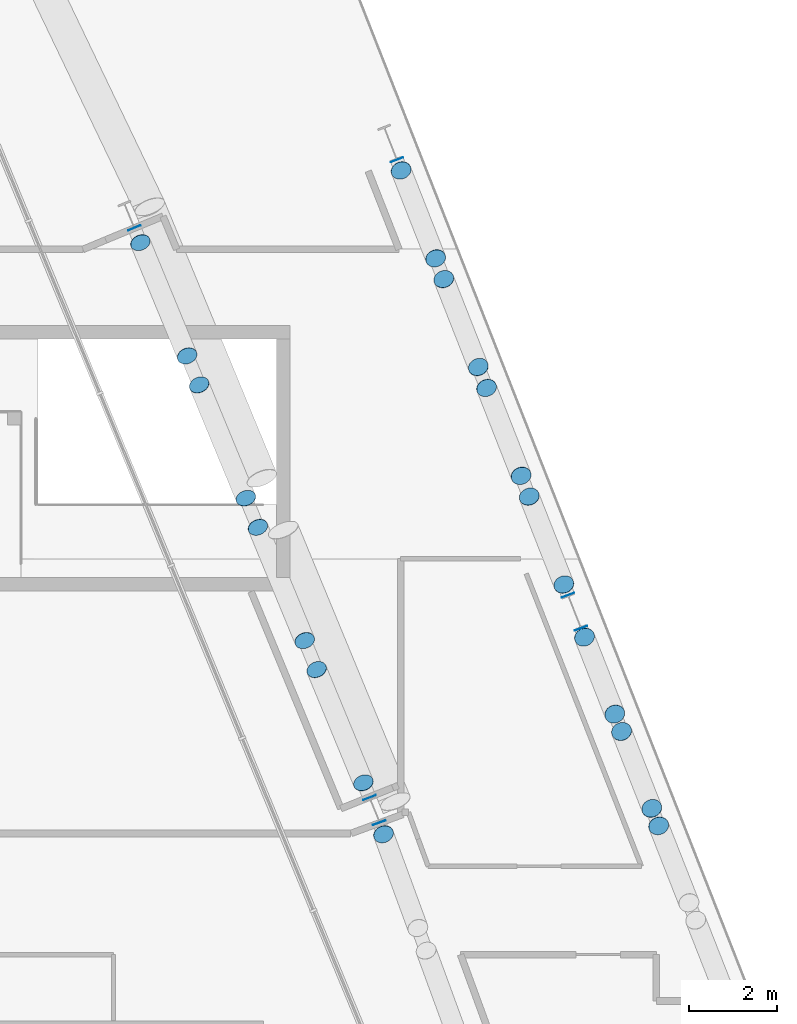
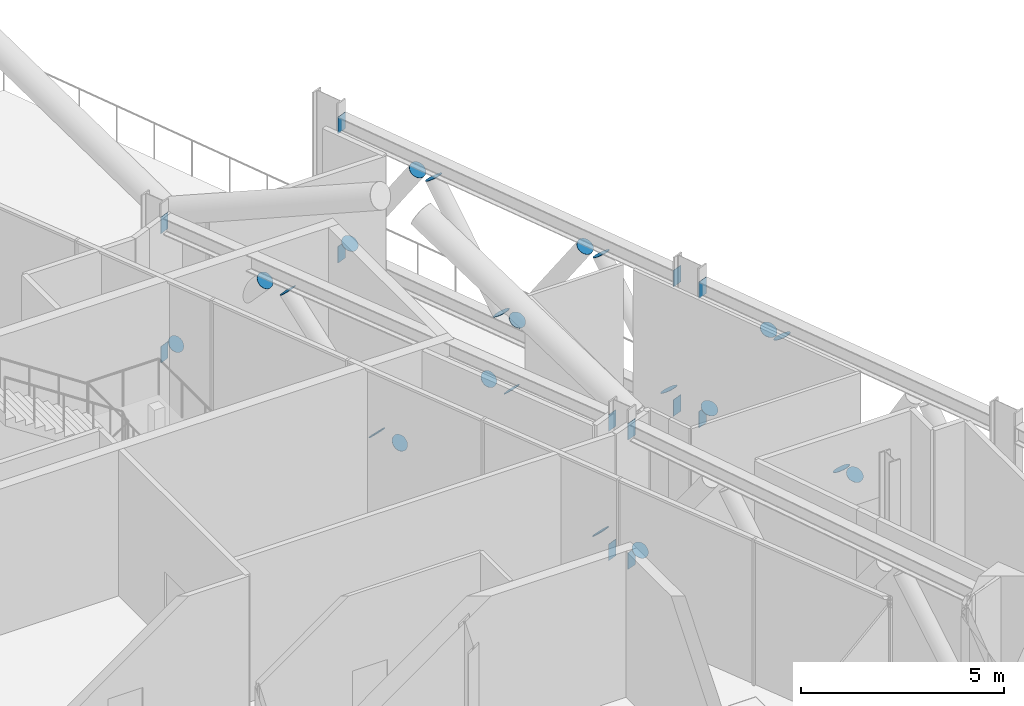
# One storey, part 35 of 42: 34 discrete accessories.
"""IFC4 building model written with IfcOpenShell, lengths in metres."""

from ifc_helpers import new_model, si_unit, direction, frame, origin, origin_2d, place, context, subcontext, project, spatial, rectangle, circle, extrude, material, material_profile, profile_set, type_object, element, save


model = new_model("IFC4")

# Units and contexts
model_context = context("Model", 3, precision=1e-05, world=origin(), true_north=direction((0.0, 1.0)))
body_context = subcontext(model_context, "Body", "Model", "MODEL_VIEW")
ifc_project = project(units=[si_unit("LENGTHUNIT", "METRE"), si_unit("AREAUNIT", "SQUARE_METRE"), si_unit("VOLUMEUNIT", "CUBIC_METRE"), si_unit("PLANEANGLEUNIT", "RADIAN"), si_unit("MASSUNIT", "GRAM", prefix="KILO")], contexts=[model_context])

# Site, building, storey
site_placement = place(None, origin())
site = spatial("IfcSite", under=ifc_project, at=site_placement, CompositionType="ELEMENT")
building_placement = place(site_placement, origin())
building = spatial("IfcBuilding", under=site, at=building_placement, Name="Wharfspan Tower", CompositionType="ELEMENT")
storey_placement = place(building_placement, frame((0.0, 0.0, 147.100098)))
storey = spatial("IfcBuildingStorey", under=building, at=storey_placement, Name="L35", CompositionType="ELEMENT", Elevation=147.100098)

# Discrete accessories
ifc_material_1 = material(Name="Steel S460NH", Category="steel")
ifc_material_profile_1 = material_profile(ifc_material_1, circle(Radius=0.228516, at=origin_2d()))
ifc_profile_set_1 = profile_set([ifc_material_profile_1], Name="Steel S460NH")
discrete_accessory_type_1 = type_object("IfcDiscreteAccessoryType", Name="End plate CHS 457x16", PredefinedType="BRACKET", material=ifc_profile_set_1)
discrete_accessory_1_placement = place(storey_placement, frame((79.611328, 16.211426, 0.633301), z_axis=(-0.221297, 0.540947, -0.811421), x_axis=(-0.925544, -0.378631, 1e-06)))
element("IfcDiscreteAccessory", 1, at=discrete_accessory_1_placement, inside=storey, type_object=discrete_accessory_type_1, Name="End plate CHS 457x16", PredefinedType="BRACKET", context=body_context, shape_type="SweptSolid", body=[
    extrude(circle(Radius=0.228516, at=origin_2d()), origin(), (0.0, 0.0, 1.0), 0.01001),
])
discrete_accessory_2_placement = place(storey_placement, frame((79.156738, 17.374268, 0.644775), z_axis=(-0.248069, 0.620174, 0.744208), x_axis=(-0.928477, -0.37139, 0.0)))
element("IfcDiscreteAccessory", 2, at=discrete_accessory_2_placement, inside=storey, type_object=discrete_accessory_type_1, Name="End plate CHS 457x16", PredefinedType="BRACKET", context=body_context, shape_type="SweptSolid", body=[
    extrude(circle(Radius=0.228516, at=origin_2d()), origin(), (0.0, 0.0, 1.0), 0.009766),
])
for number, where, z_axis, x_axis, name in (
    (3, (78.098877, 19.937012, 3.747559), (-0.266242, 0.605095, 0.750317), (-0.915318, -0.402739, -1e-06), "End plate CHS 457x16"),
    (4, (77.826904, 20.595459, 3.755127), (-0.243541, 0.608851, -0.754976), (-0.928474, -0.371393, -2e-06), "End plate CHS 457x16"),
    (5, (76.769043, 23.158203, 0.6521), (-0.27113, 0.616205, -0.739446), (-0.915312, -0.402737, 0.0), "End plate CHS 457x16"),
    (6, (76.49707, 23.816406, 0.644775), (-0.244266, 0.635092, 0.732798), (-0.933346, -0.358979, 0.0), "End plate CHS 457x16"),
    (7, (75.439209, 26.379395, 3.747559), (-0.266242, 0.605095, 0.750317), (-0.915318, -0.402739, -1e-06), "End plate CHS 457x16"),
    (8, (75.167236, 27.037598, 3.755127), (-0.243541, 0.608851, -0.754976), (-0.928474, -0.371393, -2e-06), "End plate CHS 457x16"),
    (9, (74.109375, 29.600586, 0.6521), (-0.27113, 0.616205, -0.739446), (-0.915312, -0.402737, 0.0), "End plate CHS 457x16"),
    (10, (85.838379, 16.401367, 0.615723), (-0.171088, 0.488824, -0.855442), (-0.94386, -0.330352, -1e-06), "End plate CHS 457x16"),
    (11, (85.682861, 16.797363, 0.607178), (-0.196946, 0.467748, 0.86164), (-0.921633, -0.388055, 0.0), "End plate CHS 457x16"),
    (12, (84.999268, 18.536621, 3.783936), (-0.192841, 0.457998, 0.867785), (-0.921639, -0.388058, 0.0), "End plate CHS 457x16"),
    (13, (84.84375, 18.932617, 3.792725), (-0.192841, 0.457998, -0.867785), (-0.921639, -0.388058, 0.0), "End plate CHS 457x16"),
    (14, (84.160156, 20.671875, 0.615723), (-0.196946, 0.467748, -0.86164), (-0.921633, -0.388055, 0.0), "End plate CHS 457x16"),
    (15, (83.691895, 21.863281, 0.619873), (-0.196293, 0.51527, 0.834246), (-0.934491, -0.355996, 0.0), "End plate CHS 457x16"),
    (16, (82.910156, 23.852051, 3.771729), (-0.193801, 0.532952, 0.823653), (-0.939792, -0.341743, 0.0), "End plate CHS 457x16"),
    (17, (82.724609, 24.324219, 3.780029), (-0.196293, 0.51527, -0.834246), (-0.934491, -0.355996, 0.0), "End plate CHS 457x16"),
    (18, (81.943115, 26.312988, 0.628174), (-0.216946, 0.530313, -0.819575), (-0.925547, -0.378634, -1e-06), "End plate CHS 457x16"),
    (19, (81.757568, 26.785156, 0.619873), (-0.219708, 0.512653, 0.830009), (-0.919147, -0.393921, 1e-06), "End plate CHS 457x16"),
    (20, (80.97583, 28.773926, 3.771729), (-0.193801, 0.532952, 0.823653), (-0.939792, -0.341743, 0.0), "End plate CHS 457x16"),
    (21, (80.790283, 29.246094, 3.780029), (-0.193801, 0.532952, -0.823653), (-0.939792, -0.341743, 0.0), "End plate CHS 457x16"),
    (22, (80.008545, 31.235107, 0.628174), (-0.196293, 0.51527, -0.834246), (-0.934491, -0.355996, 0.0), "End plate CHS 457x16"),
):
    element("IfcDiscreteAccessory", number, at=place(storey_placement, frame(where, z_axis=z_axis, x_axis=x_axis)), inside=storey, type_object=discrete_accessory_type_1, Name=name, PredefinedType="BRACKET", context=body_context, shape_type="SweptSolid", body=[
        extrude(circle(Radius=0.228516, at=origin_2d()), origin(), (0.0, 0.0, 1.0), 0.01001),
    ])
ifc_material_2 = material(Name="Steel S355J2", Category="steel")
ifc_material_profile_2 = material_profile(ifc_material_2, rectangle(XDim=0.300049, YDim=0.5, at=origin_2d()))
ifc_profile_set_2 = profile_set([ifc_material_profile_2], Name="Steel S355J2")
discrete_accessory_type_2 = type_object("IfcDiscreteAccessoryType", Name="End plate HEB 500", PredefinedType="BRACKET", material=ifc_profile_set_2)
for number, where, z_axis, x_axis, name in (
    (23, (79.516357, 16.470215, 4.149902), (-0.337865, 0.941195, 0.0), (-0.941195, -0.337865, 0.0), "End plate HEB 500"),
    (24, (79.516357, 16.470215, 0.25), (-0.337865, 0.941195, 0.0), (-0.941195, -0.337865, 0.0), "End plate HEB 500"),
    (25, (79.295166, 17.038818, 4.149902), (-0.367167, 0.930155, 0.0), (-0.930155, -0.367167, 0.0), "End plate HEB 500"),
    (26, (73.972168, 29.932617, 4.149902), (-0.388057, 0.921635, 0.0), (-0.921635, -0.388057, 0.0), "End plate HEB 500"),
    (27, (79.295166, 17.038818, 0.25), (-0.367167, 0.930155, 0.0), (-0.930155, -0.367167, 0.0), "End plate HEB 500"),
    (28, (73.972168, 29.932617, 0.25), (-0.388057, 0.921635, 0.0), (-0.921635, -0.388057, 0.0), "End plate HEB 500"),
):
    element("IfcDiscreteAccessory", number, at=place(storey_placement, frame(where, z_axis=z_axis, x_axis=x_axis)), inside=storey, type_object=discrete_accessory_type_2, Name=name, PredefinedType="BRACKET", context=body_context, shape_type="SweptSolid", body=[
        extrude(rectangle(XDim=0.300049, YDim=0.5, at=origin_2d()), origin(), (0.0, 0.0, 1.0), 0.01001),
    ])
for number, where, z_axis, x_axis, name in (
    (29, (84.081299, 20.87207, 4.149902), (-0.358979, 0.933346, 0.0), (-0.933346, -0.358979, 0.0), "End plate HEB 500"),
    (30, (84.081299, 20.87207, 0.25), (-0.358979, 0.933346, 0.0), (-0.933346, -0.358979, 0.0), "End plate HEB 500"),
    (31, (83.787354, 21.620361, 4.149902), (-0.358979, 0.933346, 0.0), (-0.933346, -0.358979, 0.0), "End plate HEB 500"),
):
    element("IfcDiscreteAccessory", number, at=place(storey_placement, frame(where, z_axis=z_axis, x_axis=x_axis)), inside=storey, type_object=discrete_accessory_type_2, Name=name, PredefinedType="BRACKET", context=body_context, shape_type="SweptSolid", body=[
        extrude(rectangle(XDim=0.300049, YDim=0.5, at=origin_2d()), origin(), (0.0, 0.0, 1.0), 0.010254),
    ])
discrete_accessory_3_placement = place(storey_placement, frame((79.914795, 31.473633, 4.149902), z_axis=(-0.367167, 0.930155, 0.0), x_axis=(-0.930155, -0.367167, 0.0)))
element("IfcDiscreteAccessory", 32, at=discrete_accessory_3_placement, inside=storey, type_object=discrete_accessory_type_2, Name="End plate HEB 500", PredefinedType="BRACKET", context=body_context, shape_type="SweptSolid", body=[
    extrude(rectangle(XDim=0.300049, YDim=0.5, at=origin_2d()), origin(), (0.0, 0.0, 1.0), 0.01001),
])
discrete_accessory_4_placement = place(storey_placement, frame((83.787354, 21.620361, 0.25), z_axis=(-0.358979, 0.933346, 0.0), x_axis=(-0.933346, -0.358979, 0.0)))
element("IfcDiscreteAccessory", 33, at=discrete_accessory_4_placement, inside=storey, type_object=discrete_accessory_type_2, Name="End plate HEB 500", PredefinedType="BRACKET", context=body_context, shape_type="SweptSolid", body=[
    extrude(rectangle(XDim=0.300049, YDim=0.5, at=origin_2d()), origin(), (0.0, 0.0, 1.0), 0.010254),
])
discrete_accessory_5_placement = place(storey_placement, frame((79.914795, 31.473633, 0.25), z_axis=(-0.367167, 0.930155, 0.0), x_axis=(-0.930155, -0.367167, 0.0)))
element("IfcDiscreteAccessory", 34, at=discrete_accessory_5_placement, inside=storey, type_object=discrete_accessory_type_2, Name="End plate HEB 500", PredefinedType="BRACKET", context=body_context, shape_type="SweptSolid", body=[
    extrude(rectangle(XDim=0.300049, YDim=0.5, at=origin_2d()), origin(), (0.0, 0.0, 1.0), 0.01001),
])

save(model, "model.ifc")
